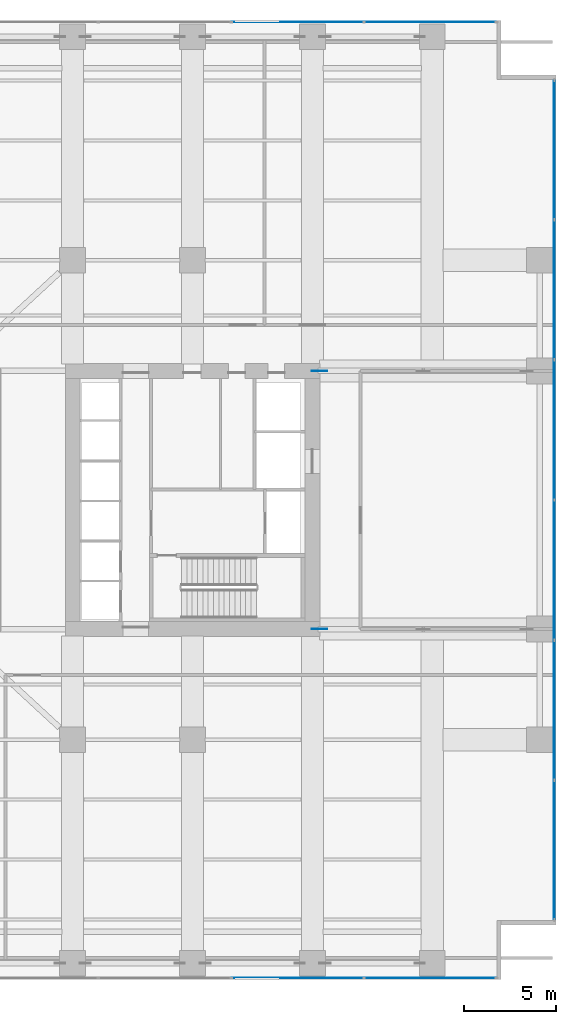
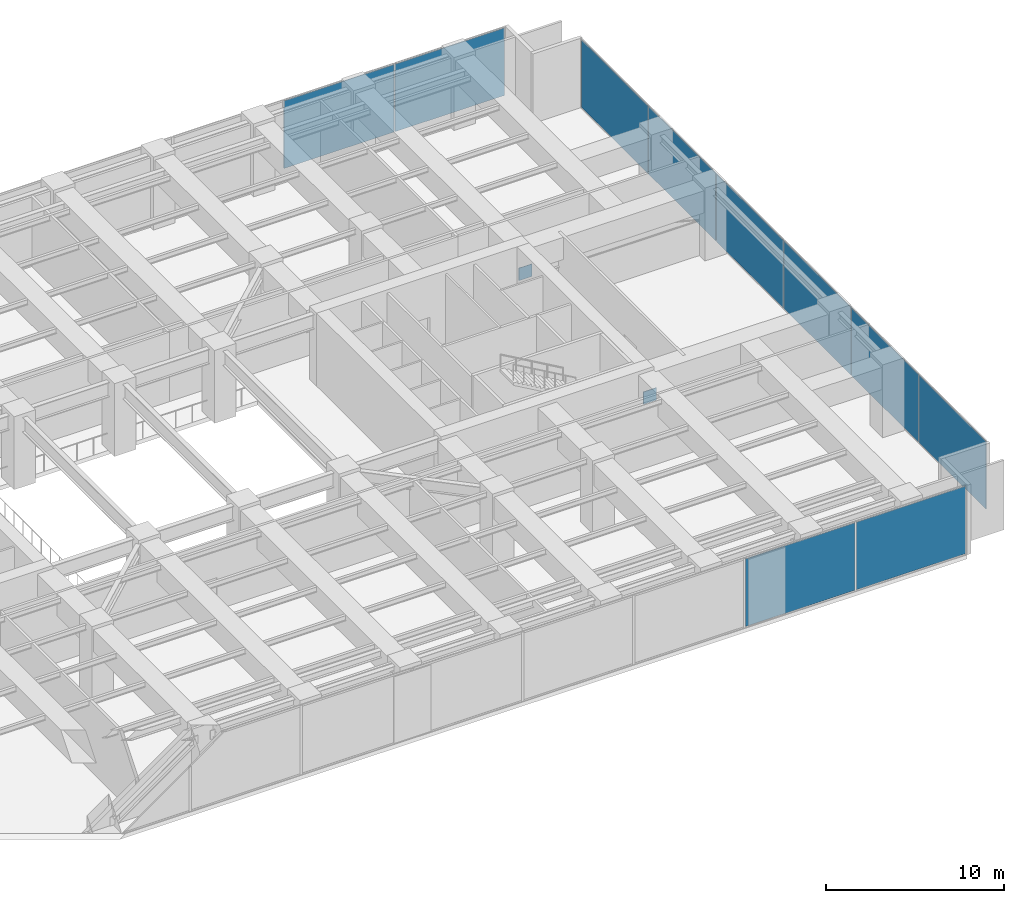
# One storey, part 18 of 31: 12 plates, 3 elements without a shape of their own.
"""IFC4 building model written with IfcOpenShell, lengths in metres."""

from ifc_helpers import new_model, si_unit, direction, frame, origin, origin_2d, place, context, subcontext, project, spatial, rectangle, extrude, material, layer, layer_set, type_object, element, aggregate, save


model = new_model("IFC4")

# Units and contexts
model_context = context("Model", 3, precision=1e-05, world=origin(), true_north=direction((0.0, 1.0)))
body_context = subcontext(model_context, "Body", "Model", "MODEL_VIEW")
ifc_project = project(units=[si_unit("LENGTHUNIT", "METRE"), si_unit("AREAUNIT", "SQUARE_METRE"), si_unit("VOLUMEUNIT", "CUBIC_METRE"), si_unit("PLANEANGLEUNIT", "RADIAN"), si_unit("MASSUNIT", "GRAM", prefix="KILO")], contexts=[model_context])

# Site, building, storey
site_placement = place(None, origin())
site = spatial("IfcSite", under=ifc_project, at=site_placement, CompositionType="ELEMENT")
building_placement = place(site_placement, origin())
building = spatial("IfcBuilding", under=site, at=building_placement, Name="Putna Gate Headquarters", CompositionType="ELEMENT")
storey_placement = place(building_placement, frame((0.0, 0.0, 81.0)))
storey = spatial("IfcBuildingStorey", under=building, at=storey_placement, Name="L19", CompositionType="ELEMENT", Elevation=81.0)

# Curtain wall, plates
ifc_material_1 = material(Name="Anodised bronze aluminium curtain wall", Category="aluminium")
ifc_layer_1 = layer(ifc_material_1, 0.159912109375)
ifc_layer_set_1 = layer_set([ifc_layer_1], Name="Anodised bronze aluminium curtain wall")
curtain_wall_type = type_object("IfcCurtainWallType", Name="CW-SYS-CRN", PredefinedType="USERDEFINED", material=ifc_layer_set_1)
curtain_wall_1_placement = place(storey_placement, origin())
curtain_wall_1 = element("IfcCurtainWall", 1, at=curtain_wall_1_placement, inside=storey, type_object=curtain_wall_type, Name="L19 Acoustic Louvre South Enclosure", ObjectType="STICK CURTAIN WALL", PredefinedType="USERDEFINED")
ifc_material_2 = material(Name="Anodised bronze acoustic louvre panel", Category="aluminium")
ifc_layer_2 = layer(ifc_material_2, 0.044921875)
ifc_layer_set_2 = layer_set([ifc_layer_2], Name="Anodised bronze acoustic louvre panel")
plate_type_1 = type_object("IfcPlateType", Name="PAN-CWP-CR", PredefinedType="CURTAIN_PANEL", material=ifc_layer_set_2)
plate_1_placement = place(storey_placement, frame((64.199951171875, 0.080078125, 0.06494140625), z_axis=(0.0, 0.0, 1.0), x_axis=(1.0, 0.0, 0.0)))
plate_1 = element("IfcPlate", 2, at=plate_1_placement, type_object=plate_type_1, Name="CWS-CR panel 9.1", PredefinedType="CURTAIN_PANEL", context=body_context, shape_type="SweptSolid", body=[
    extrude(rectangle(XDim=7.135009765625, YDim=0.044921875, at=origin_2d()), origin(), (0.0, 0.0, 1.0), 4.635009765625),
])
plate_2_placement = place(storey_placement, frame((71.3837890625, 0.080078125, 0.06494140625), z_axis=(0.0, 0.0, 1.0), x_axis=(1.0, 0.0, 0.0)))
plate_2 = element("IfcPlate", 3, at=plate_2_placement, type_object=plate_type_1, Name="CWS-CR panel 10.1", PredefinedType="CURTAIN_PANEL", context=body_context, shape_type="SweptSolid", body=[
    extrude(rectangle(XDim=7.1025390625, YDim=0.044921875, at=origin_2d()), origin(), (0.0, 0.0, 1.0), 4.635009765625),
])
aggregate(curtain_wall_1, [plate_1, plate_2])

curtain_wall_2_placement = place(storey_placement, origin())
curtain_wall_2 = element("IfcCurtainWall", 4, at=curtain_wall_2_placement, inside=storey, type_object=curtain_wall_type, Name="L19 Acoustic Louvre North Enclosure", ObjectType="STICK CURTAIN WALL", PredefinedType="USERDEFINED")
plate_3_placement = place(storey_placement, frame((64.199951171875, 51.919921875, 0.06494140625), z_axis=(0.0, 0.0, 1.0), x_axis=(1.0, 0.0, 0.0)))
plate_3 = element("IfcPlate", 5, at=plate_3_placement, type_object=plate_type_1, Name="CWS-CR panel 9.1", PredefinedType="CURTAIN_PANEL", context=body_context, shape_type="SweptSolid", body=[
    extrude(rectangle(XDim=7.135009765625, YDim=0.044921875, at=origin_2d()), origin(), (0.0, 0.0, 1.0), 4.635009765625),
])
plate_4_placement = place(storey_placement, frame((71.3837890625, 51.919921875, 0.06494140625), z_axis=(0.0, 0.0, 1.0), x_axis=(1.0, 0.0, 0.0)))
plate_4 = element("IfcPlate", 6, at=plate_4_placement, type_object=plate_type_1, Name="CWS-CR panel 10.1", PredefinedType="CURTAIN_PANEL", context=body_context, shape_type="SweptSolid", body=[
    extrude(rectangle(XDim=7.1025390625, YDim=0.044921875, at=origin_2d()), origin(), (0.0, 0.0, 1.0), 4.635009765625),
])
aggregate(curtain_wall_2, [plate_3, plate_4])

curtain_wall_3_placement = place(storey_placement, origin())
curtain_wall_3 = element("IfcCurtainWall", 7, at=curtain_wall_3_placement, inside=storey, type_object=curtain_wall_type, Name="L19 Acoustic Louvre East Enclosure", ObjectType="STICK CURTAIN WALL", PredefinedType="USERDEFINED")
plate_5_placement = place(storey_placement, frame((78.1201171875, 7.016357421875, 0.06494140625), z_axis=(0.0, 0.0, 1.0), x_axis=(0.0, 1.0, 0.0)))
plate_5 = element("IfcPlate", 8, at=plate_5_placement, type_object=plate_type_1, Name="CWS-CR panel 1.1", PredefinedType="CURTAIN_PANEL", context=body_context, shape_type="SweptSolid", body=[
    extrude(rectangle(XDim=7.50244140625, YDim=0.044921875, at=origin_2d()), origin(), (0.0, 0.0, 1.0), 4.635009765625),
])
plate_6_placement = place(storey_placement, frame((78.1201171875, 14.60009765625, 0.06494140625), z_axis=(0.0, 0.0, 1.0), x_axis=(0.0, 1.0, 0.0)))
plate_6 = element("IfcPlate", 9, at=plate_6_placement, type_object=plate_type_1, Name="CWS-CR panel 2.1", PredefinedType="CURTAIN_PANEL", context=body_context, shape_type="SweptSolid", body=[
    extrude(rectangle(XDim=7.534912109375, YDim=0.044921875, at=origin_2d()), origin(), (0.0, 0.0, 1.0), 4.635009765625),
])
plate_7_placement = place(storey_placement, frame((78.1201171875, 22.199951171875, 0.06494140625), z_axis=(0.0, 0.0, 1.0), x_axis=(0.0, 1.0, 0.0)))
plate_7 = element("IfcPlate", 10, at=plate_7_placement, type_object=plate_type_1, Name="CWS-CR panel 3.1", PredefinedType="CURTAIN_PANEL", context=body_context, shape_type="SweptSolid", body=[
    extrude(rectangle(XDim=7.534912109375, YDim=0.044921875, at=origin_2d()), origin(), (0.0, 0.0, 1.0), 4.635009765625),
])
plate_8_placement = place(storey_placement, frame((78.1201171875, 29.800048828125, 0.06494140625), z_axis=(0.0, 0.0, 1.0), x_axis=(0.0, 1.0, 0.0)))
plate_8 = element("IfcPlate", 11, at=plate_8_placement, type_object=plate_type_1, Name="CWS-CR panel 4.1", PredefinedType="CURTAIN_PANEL", context=body_context, shape_type="SweptSolid", body=[
    extrude(rectangle(XDim=7.534912109375, YDim=0.044921875, at=origin_2d()), origin(), (0.0, 0.0, 1.0), 4.635009765625),
])
plate_9_placement = place(storey_placement, frame((78.1201171875, 37.39990234375, 0.06494140625), z_axis=(0.0, 0.0, 1.0), x_axis=(0.0, 1.0, 0.0)))
plate_9 = element("IfcPlate", 12, at=plate_9_placement, type_object=plate_type_1, Name="CWS-CR panel 5.1", PredefinedType="CURTAIN_PANEL", context=body_context, shape_type="SweptSolid", body=[
    extrude(rectangle(XDim=7.534912109375, YDim=0.044921875, at=origin_2d()), origin(), (0.0, 0.0, 1.0), 4.635009765625),
])
plate_10_placement = place(storey_placement, frame((78.1201171875, 44.983642578125, 0.06494140625), z_axis=(0.0, 0.0, 1.0), x_axis=(0.0, 1.0, 0.0)))
plate_10 = element("IfcPlate", 13, at=plate_10_placement, type_object=plate_type_1, Name="CWS-CR panel 6.1", PredefinedType="CURTAIN_PANEL", context=body_context, shape_type="SweptSolid", body=[
    extrude(rectangle(XDim=7.50244140625, YDim=0.044921875, at=origin_2d()), origin(), (0.0, 0.0, 1.0), 4.635009765625),
])
aggregate(curtain_wall_3, [plate_5, plate_6, plate_7, plate_8, plate_9, plate_10])

# Plates
ifc_material_3 = material(Name="Steel S460M", Category="steel")
ifc_layer_3 = layer(ifc_material_3, 0.0400390625)
ifc_layer_set_3 = layer_set([ifc_layer_3], Name="Steel S460M")
plate_type_2 = type_object("IfcPlateType", Name="PLT-NODE-ON1", PredefinedType="SHEET", material=ifc_layer_set_3)
for number, where, z_axis, x_axis, name in (
    (14, (65.385009765625, 19.0, 2.324951171875), (0.0, 0.0, 1.0), (1.0, 0.0, 0.0), "L19 Outrigger Node Plate ON1 ES"),
    (15, (65.385009765625, 33.0, 2.324951171875), (0.0, 0.0, 1.0), (1.0, 0.0, 0.0), "L19 Outrigger Node Plate ON1 EN"),
):
    element("IfcPlate", number, at=place(storey_placement, frame(where, z_axis=z_axis, x_axis=x_axis)), inside=storey, type_object=plate_type_2, Name=name, PredefinedType="SHEET", context=body_context, shape_type="SweptSolid", body=[
        extrude(rectangle(XDim=0.85009765625, YDim=0.0400390625, at=origin_2d()), origin(), (0.0, 0.0, 1.0), 0.85009765625),
    ])

save(model, "model.ifc")
